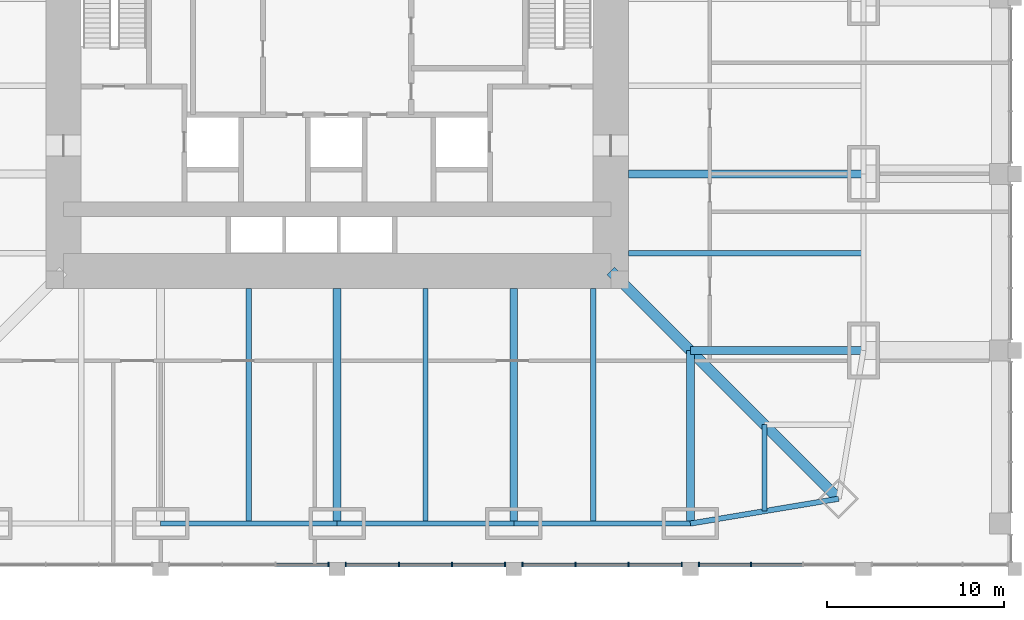
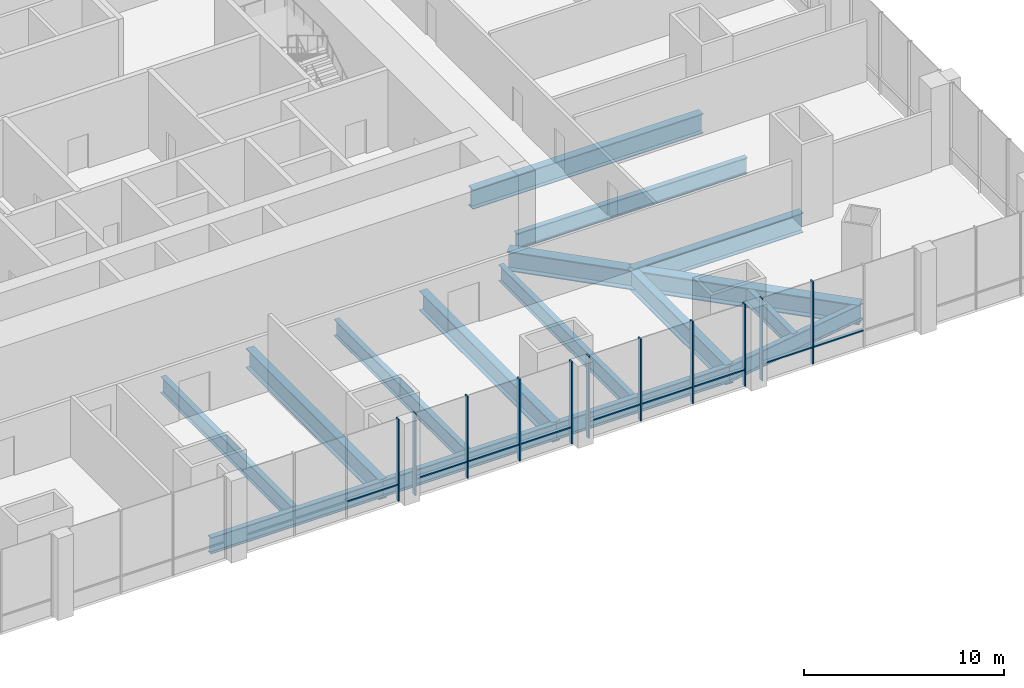
# One storey, part 4 of 24: 20 members, 15 beams, 4 elements without a shape of their own.
"""IFC4 building model written with IfcOpenShell, lengths in metres."""

from ifc_helpers import new_model, si_unit, direction, frame, origin, origin_2d, place, context, subcontext, project, spatial, rectangle, i_section, extrude, material, material_profile, profile_set, type_object, element, aggregate, save


model = new_model("IFC4")

# Units and contexts
model_context = context("Model", 3, precision=1e-05, world=origin(), true_north=direction((0.0, 1.0)))
body_context = subcontext(model_context, "Body", "Model", "MODEL_VIEW")
ifc_project = project(units=[si_unit("LENGTHUNIT", "METRE"), si_unit("AREAUNIT", "SQUARE_METRE"), si_unit("VOLUMEUNIT", "CUBIC_METRE"), si_unit("PLANEANGLEUNIT", "RADIAN"), si_unit("MASSUNIT", "GRAM", prefix="KILO")], contexts=[model_context])

# Site, building, storey
site_placement = place(None, origin())
site = spatial("IfcSite", under=ifc_project, at=site_placement, CompositionType="ELEMENT")
building_placement = place(site_placement, origin())
building = spatial("IfcBuilding", under=site, at=building_placement, Name="Khuree Lantern Residences", CompositionType="ELEMENT")
storey_placement = place(building_placement, frame((0.0, 0.0, 6.0)))
storey = spatial("IfcBuildingStorey", under=building, at=storey_placement, Name="L01", CompositionType="ELEMENT", Elevation=6.0)

# Beams
ifc_material_1 = material(Name="Steel S355", Category="steel")
ifc_material_profile_1 = material_profile(ifc_material_1, i_section(OverallWidth=0.300048828125, OverallDepth=1.0, WebThickness=0.01904296875, FlangeThickness=0.035888671875, FilletRadius=0.030029296875, at=origin_2d()), Name="HE 1000 B")
ifc_profile_set_1 = profile_set([ifc_material_profile_1], Name="Steel S355")
beam_type_1 = type_object("IfcBeamType", Name="B-01 SECONDARY BEAM HE 1000 B", PredefinedType="BEAM", material=ifc_profile_set_1)
beam_1_placement = place(storey_placement, frame((29.800048828125, -14.5, -0.800048828125), z_axis=(-1.0, 0.0, 0.0), x_axis=(0.0, -1.0, 0.0)))
element("IfcBeam", 1, at=beam_1_placement, inside=storey, type_object=beam_type_1, Name="Secondary beam E5", PredefinedType="BEAM", context=body_context, shape_type="SweptSolid", body=[
    extrude(i_section(OverallWidth=0.300048828125, OverallDepth=1.0, WebThickness=0.01904296875, FlangeThickness=0.035888671875, FilletRadius=0.030029296875, at=origin_2d()), origin(), (0.0, 0.0, 1.0), 13.300048828125),
])
beam_2_placement = place(storey_placement, frame((24.197021484375, -29.09716796875, -0.800048828125), z_axis=(0.0, 1.0, 0.0), x_axis=(-1.0, 0.0, 0.0)))
element("IfcBeam", 2, at=beam_2_placement, inside=storey, type_object=beam_type_1, Name="Secondary beam S1", PredefinedType="BEAM", context=body_context, shape_type="SweptSolid", body=[
    extrude(i_section(OverallWidth=0.300048828125, OverallDepth=1.0, WebThickness=0.01904296875, FlangeThickness=0.035888671875, FilletRadius=0.030029296875, at=origin_2d()), origin(), (0.0, 0.0, 1.0), 4.900146484375),
])
for number, where, z_axis, x_axis, name in (
    (3, (14.5, -29.800048828125, -0.800048828125), (0.0, 1.0, 0.0), (-1.0, 0.0, 0.0), "Secondary beam S2"),
    (4, (5.0, -29.800048828125, -0.800048828125), (0.0, 1.0, 0.0), (-1.0, 0.0, 0.0), "Secondary beam S3"),
    (5, (-5.0, -29.800048828125, -0.800048828125), (0.0, 1.0, 0.0), (-1.0, 0.0, 0.0), "Secondary beam S4"),
):
    element("IfcBeam", number, at=place(storey_placement, frame(where, z_axis=z_axis, x_axis=x_axis)), inside=storey, type_object=beam_type_1, Name=name, PredefinedType="BEAM", context=body_context, shape_type="SweptSolid", body=[
        extrude(i_section(OverallWidth=0.300048828125, OverallDepth=1.0, WebThickness=0.01904296875, FlangeThickness=0.035888671875, FilletRadius=0.030029296875, at=origin_2d()), origin(), (0.0, 0.0, 1.0), 13.300048828125),
    ])
ifc_material_profile_2 = material_profile(ifc_material_1, i_section(OverallWidth=0.300048828125, OverallDepth=1.0, WebThickness=0.01904296875, FlangeThickness=0.035888671875, FilletRadius=0.030029296875, at=origin_2d()), Name="HE 1000 B")
ifc_profile_set_2 = profile_set([ifc_material_profile_2], Name="Steel S355")
beam_type_2 = type_object("IfcBeamType", Name="E-01 SPANDREL BEAM HE 1000 B", PredefinedType="SPANDREL", material=ifc_profile_set_2)
beam_3_placement = place(storey_placement, frame((28.39404296875, -28.39404296875, -0.800048828125), z_axis=(-0.986260251158, -0.165199022349, 0.0), x_axis=(0.165199022349, -0.986260251158, 0.0)))
element("IfcBeam", 6, at=beam_3_placement, inside=storey, type_object=beam_type_2, Name="Spandrel beam S1", PredefinedType="SPANDREL", context=body_context, shape_type="SweptSolid", body=[
    extrude(i_section(OverallWidth=0.300048828125, OverallDepth=1.0, WebThickness=0.01904296875, FlangeThickness=0.035888671875, FilletRadius=0.030029296875, at=origin_2d()), origin(), (0.0, 0.0, 1.0), 8.510986328125),
])
for number, where, z_axis, x_axis, name in (
    (7, (20.0, -29.800048828125, -0.800048828125), (-1.0, 0.0, 0.0), (0.0, -1.0, 0.0), "Spandrel beam S2"),
    (8, (10.0, -29.800048828125, -0.800048828125), (-1.0, 0.0, 0.0), (0.0, -1.0, 0.0), "Spandrel beam S3"),
    (9, (0.0, -29.800048828125, -0.800048828125), (-1.0, 0.0, 0.0), (0.0, -1.0, 0.0), "Spandrel beam S4"),
):
    element("IfcBeam", number, at=place(storey_placement, frame(where, z_axis=z_axis, x_axis=x_axis)), inside=storey, type_object=beam_type_2, Name=name, PredefinedType="SPANDREL", context=body_context, shape_type="SweptSolid", body=[
        extrude(i_section(OverallWidth=0.300048828125, OverallDepth=1.0, WebThickness=0.01904296875, FlangeThickness=0.035888671875, FilletRadius=0.030029296875, at=origin_2d()), origin(), (0.0, 0.0, 1.0), 10.0),
    ])
ifc_material_profile_3 = material_profile(ifc_material_1, i_section(OverallWidth=0.449951171875, OverallDepth=1.199951171875, WebThickness=0.02490234375, FlangeThickness=0.044921875, at=origin_2d()), Name="WELDED I 1200X450X25X45")
ifc_profile_set_3 = profile_set([ifc_material_profile_3], Name="Steel S355")
beam_type_3 = type_object("IfcBeamType", Name="G-01 GIRDER WELDED I 1200X450X25X45", PredefinedType="BEAM", material=ifc_profile_set_3)
beam_4_placement = place(storey_placement, frame((29.800048828125, -10.0, -0.89990234375), z_axis=(-1.0, 0.0, 0.0), x_axis=(0.0, -1.0, 0.0)))
element("IfcBeam", 10, at=beam_4_placement, inside=storey, type_object=beam_type_3, Name="Girder E4", PredefinedType="BEAM", context=body_context, shape_type="SweptSolid", body=[
    extrude(i_section(OverallWidth=0.449951171875, OverallDepth=1.199951171875, WebThickness=0.02490234375, FlangeThickness=0.044921875, at=origin_2d()), origin(), (0.0, 0.0, 1.0), 13.300048828125),
])
for number, where, z_axis, x_axis, name in (
    (11, (29.800048828125, -20.0, -0.89990234375), (-1.0, 0.0, 0.0), (0.0, -1.0, 0.0), "Girder E5"),
    (12, (20.0, -29.800048828125, -0.89990234375), (0.0, 1.0, 0.0), (-1.0, 0.0, 0.0), "Girder S1"),
):
    element("IfcBeam", number, at=place(storey_placement, frame(where, z_axis=z_axis, x_axis=x_axis)), inside=storey, type_object=beam_type_3, Name=name, PredefinedType="BEAM", context=body_context, shape_type="SweptSolid", body=[
        extrude(i_section(OverallWidth=0.449951171875, OverallDepth=1.199951171875, WebThickness=0.02490234375, FlangeThickness=0.044921875, at=origin_2d()), origin(), (0.0, 0.0, 1.0), 9.800048828125),
    ])
for number, where, z_axis, x_axis, name in (
    (13, (10.0, -29.800048828125, -0.89990234375), (0.0, 1.0, 0.0), (-1.0, 0.0, 0.0), "Girder S2"),
    (14, (0.0, -29.800048828125, -0.89990234375), (0.0, 1.0, 0.0), (-1.0, 0.0, 0.0), "Girder S3"),
):
    element("IfcBeam", number, at=place(storey_placement, frame(where, z_axis=z_axis, x_axis=x_axis)), inside=storey, type_object=beam_type_3, Name=name, PredefinedType="BEAM", context=body_context, shape_type="SweptSolid", body=[
        extrude(i_section(OverallWidth=0.449951171875, OverallDepth=1.199951171875, WebThickness=0.02490234375, FlangeThickness=0.044921875, at=origin_2d()), origin(), (0.0, 0.0, 1.0), 13.300048828125),
    ])
ifc_material_profile_4 = material_profile(ifc_material_1, i_section(OverallWidth=0.60009765625, OverallDepth=1.199951171875, WebThickness=0.030029296875, FlangeThickness=0.06005859375, at=origin_2d()), Name="WELDED I 1200X600X30X60")
ifc_profile_set_4 = profile_set([ifc_material_profile_4], Name="Steel S355")
beam_type_4 = type_object("IfcBeamType", Name="GD-01 CORNER GIRDER WELDED I 1200X600X30X60", PredefinedType="BEAM", material=ifc_profile_set_4)
beam_5_placement = place(storey_placement, frame((28.39404296875, -28.39404296875, -0.89990234375), z_axis=(-0.707106781187, 0.707106781187, 0.0), x_axis=(-0.707106781187, -0.707106781187, 0.0)))
element("IfcBeam", 15, at=beam_5_placement, inside=storey, type_object=beam_type_4, Name="Corner girder SE", PredefinedType="BEAM", context=body_context, shape_type="SweptSolid", body=[
    extrude(i_section(OverallWidth=0.60009765625, OverallDepth=1.199951171875, WebThickness=0.030029296875, FlangeThickness=0.06005859375, at=origin_2d()), origin(), (0.0, 0.0, 1.0), 18.23486328125),
])

# Curtain wall, member
ifc_material_2 = material(Name="Bronze anodised aluminium", Category="aluminium")
curtain_wall_type = type_object("IfcCurtainWallType", Name="CW-P PODIUM STOREFRONT CURTAIN WALL", PredefinedType="USERDEFINED", material=ifc_material_2)
curtain_wall_1_placement = place(storey_placement, origin())
curtain_wall_1 = element("IfcCurtainWall", 16, at=curtain_wall_1_placement, inside=storey, type_object=curtain_wall_type, Name="L01 SOUTH FACE BAY 4 STOREFRONT", ObjectType="Storefront curtain wall", PredefinedType="USERDEFINED")
ifc_material_profile_5 = material_profile(ifc_material_2, rectangle(XDim=0.074951171875, YDim=0.25, at=origin_2d()), Name="M5 75X250")
ifc_profile_set_5 = profile_set([ifc_material_profile_5], Name="Bronze anodised aluminium")
member_type_1 = type_object("IfcMemberType", Name="MULLION M5 STOREFRONT 75X250", PredefinedType="MULLION", material=ifc_profile_set_5)
member_1_placement = place(storey_placement, frame((-0.487548828125, -32.125, 0.0), z_axis=(0.0, 0.0, 1.0), x_axis=(1.0, 0.0, 0.0)))
member_1 = element("IfcMember", 17, at=member_1_placement, type_object=member_type_1, Name="L01 SOUTH FACE BAY 4 MULLION 4", PredefinedType="MULLION", context=body_context, shape_type="SweptSolid", body=[
    extrude(rectangle(XDim=0.074951171875, YDim=0.25, at=origin_2d()), origin(), (0.0, 0.0, 1.0), 5.0),
])

# Curtain wall, members
curtain_wall_2_placement = place(storey_placement, origin())
curtain_wall_2 = element("IfcCurtainWall", 18, at=curtain_wall_2_placement, inside=storey, type_object=curtain_wall_type, Name="L01 SOUTH FACE BAY 5 STOREFRONT", ObjectType="Storefront curtain wall", PredefinedType="USERDEFINED")
member_2_placement = place(storey_placement, frame((0.487548828125, -32.125, 0.0), z_axis=(0.0, 0.0, 1.0), x_axis=(1.0, 0.0, 0.0)))
member_2 = element("IfcMember", 19, at=member_2_placement, type_object=member_type_1, Name="L01 SOUTH FACE BAY 5 MULLION 1", PredefinedType="MULLION", context=body_context, shape_type="SweptSolid", body=[
    extrude(rectangle(XDim=0.074951171875, YDim=0.25, at=origin_2d()), origin(), (0.0, 0.0, 1.0), 5.0),
])
member_3_placement = place(storey_placement, frame((3.495849609375, -32.125, 0.0), z_axis=(0.0, 0.0, 1.0), x_axis=(1.0, 0.0, 0.0)))
member_3 = element("IfcMember", 20, at=member_3_placement, type_object=member_type_1, Name="L01 SOUTH FACE BAY 5 MULLION 2", PredefinedType="MULLION", context=body_context, shape_type="SweptSolid", body=[
    extrude(rectangle(XDim=0.074951171875, YDim=0.25, at=origin_2d()), origin(), (0.0, 0.0, 1.0), 5.0),
])
member_4_placement = place(storey_placement, frame((6.504150390625, -32.125, 0.0), z_axis=(0.0, 0.0, 1.0), x_axis=(1.0, 0.0, 0.0)))
member_4 = element("IfcMember", 21, at=member_4_placement, type_object=member_type_1, Name="L01 SOUTH FACE BAY 5 MULLION 3", PredefinedType="MULLION", context=body_context, shape_type="SweptSolid", body=[
    extrude(rectangle(XDim=0.074951171875, YDim=0.25, at=origin_2d()), origin(), (0.0, 0.0, 1.0), 5.0),
])
member_5_placement = place(storey_placement, frame((9.512451171875, -32.125, 0.0), z_axis=(0.0, 0.0, 1.0), x_axis=(1.0, 0.0, 0.0)))
member_5 = element("IfcMember", 22, at=member_5_placement, type_object=member_type_1, Name="L01 SOUTH FACE BAY 5 MULLION 4", PredefinedType="MULLION", context=body_context, shape_type="SweptSolid", body=[
    extrude(rectangle(XDim=0.074951171875, YDim=0.25, at=origin_2d()), origin(), (0.0, 0.0, 1.0), 5.0),
])

curtain_wall_3_placement = place(storey_placement, origin())
curtain_wall_3 = element("IfcCurtainWall", 23, at=curtain_wall_3_placement, inside=storey, type_object=curtain_wall_type, Name="L01 SOUTH FACE BAY 6 STOREFRONT", ObjectType="Storefront curtain wall", PredefinedType="USERDEFINED")
member_6_placement = place(storey_placement, frame((10.487548828125, -32.125, 0.0), z_axis=(0.0, 0.0, 1.0), x_axis=(1.0, 0.0, 0.0)))
member_6 = element("IfcMember", 24, at=member_6_placement, type_object=member_type_1, Name="L01 SOUTH FACE BAY 6 MULLION 1", PredefinedType="MULLION", context=body_context, shape_type="SweptSolid", body=[
    extrude(rectangle(XDim=0.074951171875, YDim=0.25, at=origin_2d()), origin(), (0.0, 0.0, 1.0), 5.0),
])
member_7_placement = place(storey_placement, frame((13.495849609375, -32.125, 0.0), z_axis=(0.0, 0.0, 1.0), x_axis=(1.0, 0.0, 0.0)))
member_7 = element("IfcMember", 25, at=member_7_placement, type_object=member_type_1, Name="L01 SOUTH FACE BAY 6 MULLION 2", PredefinedType="MULLION", context=body_context, shape_type="SweptSolid", body=[
    extrude(rectangle(XDim=0.074951171875, YDim=0.25, at=origin_2d()), origin(), (0.0, 0.0, 1.0), 5.0),
])
member_8_placement = place(storey_placement, frame((16.504150390625, -32.125, 0.0), z_axis=(0.0, 0.0, 1.0), x_axis=(1.0, 0.0, 0.0)))
member_8 = element("IfcMember", 26, at=member_8_placement, type_object=member_type_1, Name="L01 SOUTH FACE BAY 6 MULLION 3", PredefinedType="MULLION", context=body_context, shape_type="SweptSolid", body=[
    extrude(rectangle(XDim=0.074951171875, YDim=0.25, at=origin_2d()), origin(), (0.0, 0.0, 1.0), 5.0),
])
member_9_placement = place(storey_placement, frame((19.512451171875, -32.125, 0.0), z_axis=(0.0, 0.0, 1.0), x_axis=(1.0, 0.0, 0.0)))
member_9 = element("IfcMember", 27, at=member_9_placement, type_object=member_type_1, Name="L01 SOUTH FACE BAY 6 MULLION 4", PredefinedType="MULLION", context=body_context, shape_type="SweptSolid", body=[
    extrude(rectangle(XDim=0.074951171875, YDim=0.25, at=origin_2d()), origin(), (0.0, 0.0, 1.0), 5.0),
])

curtain_wall_4_placement = place(storey_placement, origin())
curtain_wall_4 = element("IfcCurtainWall", 28, at=curtain_wall_4_placement, inside=storey, type_object=curtain_wall_type, Name="L01 SOUTH FACE BAY 7 STOREFRONT", ObjectType="Storefront curtain wall", PredefinedType="USERDEFINED")
member_10_placement = place(storey_placement, frame((20.487548828125, -32.125, 0.0), z_axis=(0.0, 0.0, 1.0), x_axis=(1.0, 0.0, 0.0)))
member_10 = element("IfcMember", 29, at=member_10_placement, type_object=member_type_1, Name="L01 SOUTH FACE BAY 7 MULLION 1", PredefinedType="MULLION", context=body_context, shape_type="SweptSolid", body=[
    extrude(rectangle(XDim=0.074951171875, YDim=0.25, at=origin_2d()), origin(), (0.0, 0.0, 1.0), 5.0),
])
member_11_placement = place(storey_placement, frame((23.42919921875, -32.125, 0.0), z_axis=(0.0, 0.0, 1.0), x_axis=(1.0, 0.0, 0.0)))
member_11 = element("IfcMember", 30, at=member_11_placement, type_object=member_type_1, Name="L01 SOUTH FACE BAY 7 MULLION 2", PredefinedType="MULLION", context=body_context, shape_type="SweptSolid", body=[
    extrude(rectangle(XDim=0.074951171875, YDim=0.25, at=origin_2d()), origin(), (0.0, 0.0, 1.0), 5.0),
])

# Member
ifc_material_profile_6 = material_profile(ifc_material_2, rectangle(XDim=0.199951171875, YDim=0.074951171875, at=origin_2d()), Name="T5 200X75")
ifc_profile_set_6 = profile_set([ifc_material_profile_6], Name="Bronze anodised aluminium")
member_type_2 = type_object("IfcMemberType", Name="TRANSOM T5 STOREFRONT 200X75", PredefinedType="USERDEFINED", material=ifc_profile_set_6)
member_12_placement = place(storey_placement, frame((-3.458251953125, -32.1201171875, 1.0), z_axis=(1.0, 0.0, 0.0), x_axis=(0.0, 1.0, 0.0)))
member_12 = element("IfcMember", 31, at=member_12_placement, type_object=member_type_2, Name="L01 SOUTH FACE BAY 4 TRANSOM 3", ObjectType="Transom", PredefinedType="USERDEFINED", context=body_context, shape_type="SweptSolid", body=[
    extrude(rectangle(XDim=0.199951171875, YDim=0.074951171875, at=origin_2d()), origin(), (0.0, 0.0, 1.0), 2.933349609375),
])

aggregate(curtain_wall_1, [member_1, member_12])

member_13_placement = place(storey_placement, frame((0.52490234375, -32.1201171875, 1.0), z_axis=(1.0, 0.0, 0.0), x_axis=(0.0, 1.0, 0.0)))
member_13 = element("IfcMember", 32, at=member_13_placement, type_object=member_type_2, Name="L01 SOUTH FACE BAY 5 TRANSOM 1", ObjectType="Transom", PredefinedType="USERDEFINED", context=body_context, shape_type="SweptSolid", body=[
    extrude(rectangle(XDim=0.199951171875, YDim=0.074951171875, at=origin_2d()), origin(), (0.0, 0.0, 1.0), 2.933349609375),
])

member_14_placement = place(storey_placement, frame((3.533447265625, -32.1201171875, 1.0), z_axis=(1.0, 0.0, 0.0), x_axis=(0.0, 1.0, 0.0)))
member_14 = element("IfcMember", 33, at=member_14_placement, type_object=member_type_2, Name="L01 SOUTH FACE BAY 5 TRANSOM 2", ObjectType="Transom", PredefinedType="USERDEFINED", context=body_context, shape_type="SweptSolid", body=[
    extrude(rectangle(XDim=0.199951171875, YDim=0.074951171875, at=origin_2d()), origin(), (0.0, 0.0, 1.0), 2.93310546875),
])

member_15_placement = place(storey_placement, frame((6.541748046875, -32.1201171875, 1.0), z_axis=(1.0, 0.0, 0.0), x_axis=(0.0, 1.0, 0.0)))
member_15 = element("IfcMember", 34, at=member_15_placement, type_object=member_type_2, Name="L01 SOUTH FACE BAY 5 TRANSOM 3", ObjectType="Transom", PredefinedType="USERDEFINED", context=body_context, shape_type="SweptSolid", body=[
    extrude(rectangle(XDim=0.199951171875, YDim=0.074951171875, at=origin_2d()), origin(), (0.0, 0.0, 1.0), 2.933349609375),
])

aggregate(curtain_wall_2, [member_2, member_3, member_4, member_5, member_13, member_14, member_15])

member_16_placement = place(storey_placement, frame((10.52490234375, -32.1201171875, 1.0), z_axis=(1.0, 0.0, 0.0), x_axis=(0.0, 1.0, 0.0)))
member_16 = element("IfcMember", 35, at=member_16_placement, type_object=member_type_2, Name="L01 SOUTH FACE BAY 6 TRANSOM 1", ObjectType="Transom", PredefinedType="USERDEFINED", context=body_context, shape_type="SweptSolid", body=[
    extrude(rectangle(XDim=0.199951171875, YDim=0.074951171875, at=origin_2d()), origin(), (0.0, 0.0, 1.0), 2.933349609375),
])

member_17_placement = place(storey_placement, frame((13.533447265625, -32.1201171875, 1.0), z_axis=(1.0, 0.0, 0.0), x_axis=(0.0, 1.0, 0.0)))
member_17 = element("IfcMember", 36, at=member_17_placement, type_object=member_type_2, Name="L01 SOUTH FACE BAY 6 TRANSOM 2", ObjectType="Transom", PredefinedType="USERDEFINED", context=body_context, shape_type="SweptSolid", body=[
    extrude(rectangle(XDim=0.199951171875, YDim=0.074951171875, at=origin_2d()), origin(), (0.0, 0.0, 1.0), 2.93310546875),
])

member_18_placement = place(storey_placement, frame((16.541748046875, -32.1201171875, 1.0), z_axis=(1.0, 0.0, 0.0), x_axis=(0.0, 1.0, 0.0)))
member_18 = element("IfcMember", 37, at=member_18_placement, type_object=member_type_2, Name="L01 SOUTH FACE BAY 6 TRANSOM 3", ObjectType="Transom", PredefinedType="USERDEFINED", context=body_context, shape_type="SweptSolid", body=[
    extrude(rectangle(XDim=0.199951171875, YDim=0.074951171875, at=origin_2d()), origin(), (0.0, 0.0, 1.0), 2.933349609375),
])

aggregate(curtain_wall_3, [member_6, member_7, member_8, member_9, member_16, member_17, member_18])

member_19_placement = place(storey_placement, frame((20.52490234375, -32.1201171875, 1.0), z_axis=(1.0, 0.0, 0.0), x_axis=(0.0, 1.0, 0.0)))
member_19 = element("IfcMember", 38, at=member_19_placement, type_object=member_type_2, Name="L01 SOUTH FACE BAY 7 TRANSOM 1", ObjectType="Transom", PredefinedType="USERDEFINED", context=body_context, shape_type="SweptSolid", body=[
    extrude(rectangle(XDim=0.199951171875, YDim=0.074951171875, at=origin_2d()), origin(), (0.0, 0.0, 1.0), 2.86669921875),
])

member_20_placement = place(storey_placement, frame((23.466552734375, -32.1201171875, 1.0), z_axis=(1.0, 0.0, 0.0), x_axis=(0.0, 1.0, 0.0)))
member_20 = element("IfcMember", 39, at=member_20_placement, type_object=member_type_2, Name="L01 SOUTH FACE BAY 7 TRANSOM 2", ObjectType="Transom", PredefinedType="USERDEFINED", context=body_context, shape_type="SweptSolid", body=[
    extrude(rectangle(XDim=0.199951171875, YDim=0.074951171875, at=origin_2d()), origin(), (0.0, 0.0, 1.0), 2.86669921875),
])

aggregate(curtain_wall_4, [member_10, member_11, member_19, member_20])

save(model, "model.ifc")
